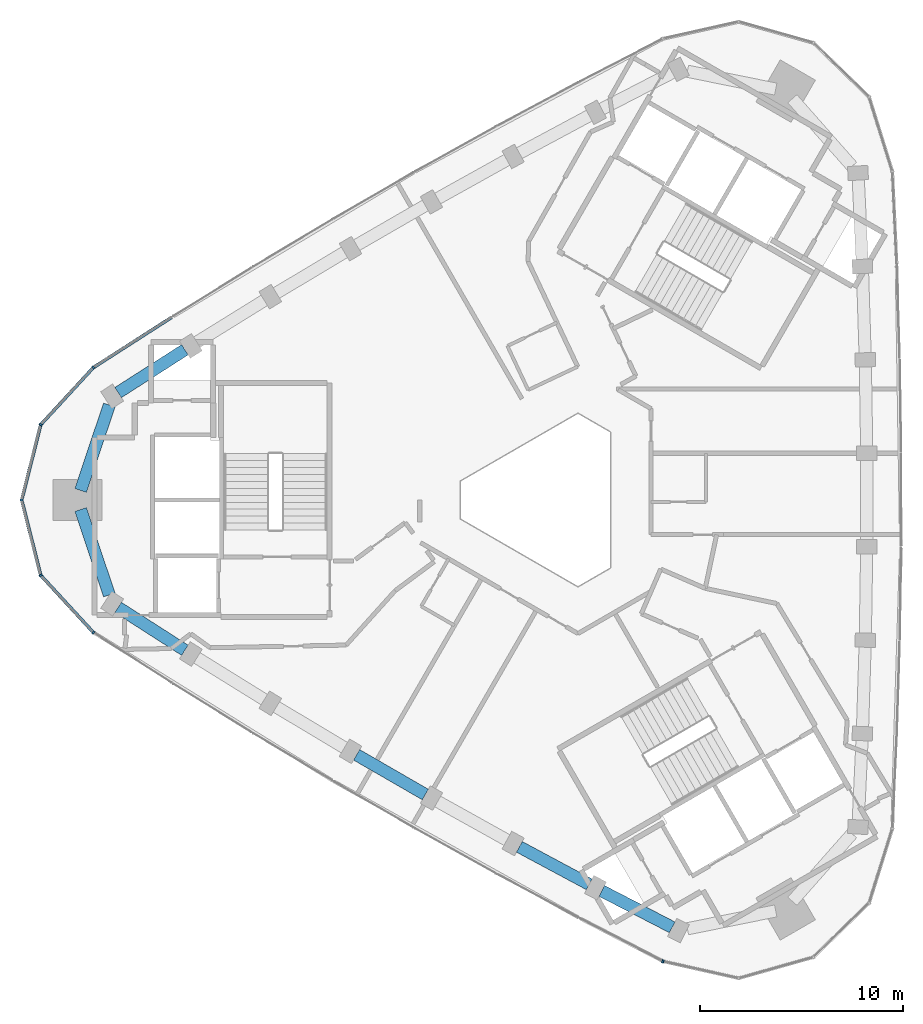
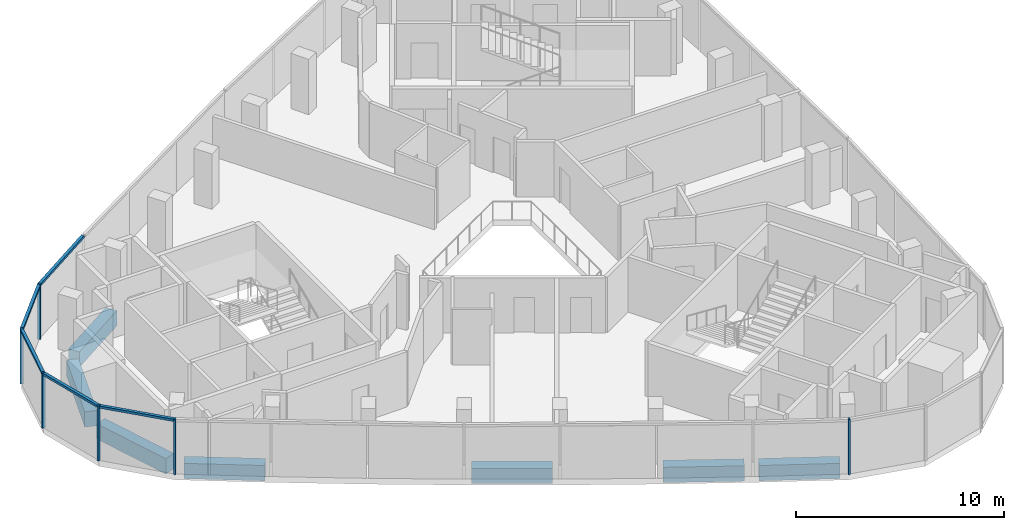
# One storey, part 2 of 10: 11 members, 7 beams, 2 elements without a shape of their own.
"""IFC4 building model written with IfcOpenShell, lengths in metres."""

from ifc_helpers import new_model, si_unit, direction, frame, origin, origin_2d, place, context, subcontext, project, spatial, rectangle, extrude, material, material_profile, profile_set, type_object, element, aggregate, save


model = new_model("IFC4")

# Units and contexts
model_context = context("Model", 3, precision=1e-05, world=origin(), true_north=direction((0.0, 1.0)))
body_context = subcontext(model_context, "Body", "Model", "MODEL_VIEW")
ifc_project = project(units=[si_unit("LENGTHUNIT", "METRE"), si_unit("AREAUNIT", "SQUARE_METRE"), si_unit("VOLUMEUNIT", "CUBIC_METRE"), si_unit("PLANEANGLEUNIT", "RADIAN"), si_unit("MASSUNIT", "GRAM", prefix="KILO")], contexts=[model_context])

# Site, building, storey
site_placement = place(None, origin())
site = spatial("IfcSite", under=ifc_project, at=site_placement, CompositionType="ELEMENT")
building_placement = place(site_placement, origin())
building = spatial("IfcBuilding", under=site, at=building_placement, Name="Tamra Quay Hotel Tower", CompositionType="ELEMENT")
storey_placement = place(building_placement, frame((0.0, 0.0, 265.800048828125)))
storey = spatial("IfcBuildingStorey", under=building, at=storey_placement, Name="L67", CompositionType="ELEMENT", Elevation=265.800048828125)

# Curtain wall, members
ifc_material_1 = material(Name="Aluminium 6063 anodised dark grey", Category="aluminium")
curtain_wall_type_1 = type_object("IfcCurtainWallType", Name="CW2 CURTAIN WALL", PredefinedType="NOTDEFINED", material=ifc_material_1)
curtain_wall_1_placement = place(storey_placement, origin())
curtain_wall_1 = element("IfcCurtainWall", 1, at=curtain_wall_1_placement, inside=storey, type_object=curtain_wall_type_1, Name="CW2 north-west face L67", PredefinedType="NOTDEFINED")
ifc_material_profile_1 = material_profile(ifc_material_1, rectangle(XDim=0.159912109375, YDim=0.10009765625, at=origin_2d()), Name="MULLION 100X160")
ifc_profile_set_1 = profile_set([ifc_material_profile_1], Name="Aluminium 6063 anodised dark grey")
member_type_1 = type_object("IfcMemberType", Name="MULLION CW2 Z6", PredefinedType="MULLION", material=ifc_profile_set_1)
member_1_placement = place(storey_placement, frame((-22.488525390625, 6.530517578125, 0.0), z_axis=(0.0, 0.0, 1.0), x_axis=(-0.643086474198, 0.765793566638, 0.0)))
member_1 = element("IfcMember", 2, at=member_1_placement, type_object=member_type_1, Name="CW2 mullion L67.NW.8", PredefinedType="MULLION", context=body_context, shape_type="SweptSolid", body=[
    extrude(rectangle(XDim=0.159912109375, YDim=0.10009765625, at=origin_2d()), origin(), (0.0, 0.0, 1.0), 3.25),
])
member_2_placement = place(storey_placement, frame((-25.0830078125, 3.712890625, 0.0), z_axis=(0.0, 0.0, 1.0), x_axis=(-0.879433050093, 0.476022594427, 0.0)))
member_2 = element("IfcMember", 3, at=member_2_placement, type_object=member_type_1, Name="CW2 mullion L67.NW.9", PredefinedType="MULLION", context=body_context, shape_type="SweptSolid", body=[
    extrude(rectangle(XDim=0.159912109375, YDim=0.10009765625, at=origin_2d()), origin(), (0.0, 0.0, 1.0), 3.25),
])
member_3_placement = place(storey_placement, frame((-26.0234375, 0.0, 0.0), z_axis=(0.0, 0.0, 1.0), x_axis=(-1.0, 0.0, 0.0)))
member_3 = element("IfcMember", 4, at=member_3_placement, type_object=member_type_1, Name="CW2 mullion L67.NW.10", PredefinedType="MULLION", context=body_context, shape_type="SweptSolid", body=[
    extrude(rectangle(XDim=0.159912109375, YDim=0.10009765625, at=origin_2d()), origin(), (0.0, 0.0, 1.0), 3.25),
])
member_4_placement = place(storey_placement, frame((-25.0830078125, -3.712890625, 0.0), z_axis=(0.0, 0.0, 1.0), x_axis=(-0.879433050093, -0.476022594427, 0.0)))
member_4 = element("IfcMember", 5, at=member_4_placement, type_object=member_type_1, Name="CW2 mullion L67.NW.11", PredefinedType="MULLION", context=body_context, shape_type="SweptSolid", body=[
    extrude(rectangle(XDim=0.159912109375, YDim=0.10009765625, at=origin_2d()), origin(), (0.0, 0.0, 1.0), 3.25),
])

curtain_wall_type_2 = type_object("IfcCurtainWallType", Name="CW3 CURTAIN WALL", PredefinedType="NOTDEFINED", material=ifc_material_1)
curtain_wall_2_placement = place(storey_placement, origin())
curtain_wall_2 = element("IfcCurtainWall", 6, at=curtain_wall_2_placement, inside=storey, type_object=curtain_wall_type_2, Name="CW3 south-west face L67", PredefinedType="NOTDEFINED")
ifc_material_profile_2 = material_profile(ifc_material_1, rectangle(XDim=0.159912109375, YDim=0.10009765625, at=origin_2d()), Name="MULLION 100X160")
ifc_profile_set_2 = profile_set([ifc_material_profile_2], Name="Aluminium 6063 anodised dark grey")
member_type_2 = type_object("IfcMemberType", Name="MULLION CW3 Z6", PredefinedType="MULLION", material=ifc_profile_set_2)
member_5_placement = place(storey_placement, frame((-22.488525390625, -6.530517578125, 0.0), z_axis=(0.0, 0.0, 1.0), x_axis=(-0.643086474198, -0.765793566638, 0.0)))
member_5 = element("IfcMember", 7, at=member_5_placement, type_object=member_type_2, Name="CW3 mullion L67.SW.1", PredefinedType="MULLION", context=body_context, shape_type="SweptSolid", body=[
    extrude(rectangle(XDim=0.159912109375, YDim=0.10009765625, at=origin_2d()), origin(), (0.0, 0.0, 1.0), 3.25),
])
member_6_placement = place(storey_placement, frame((5.588623046875, -22.740966796875, 0.0), z_axis=(0.0, 0.0, 1.0), x_axis=(-0.341653445664, -0.939826006804, 0.0)))
member_6 = element("IfcMember", 8, at=member_6_placement, type_object=member_type_2, Name="CW3 mullion L67.SW.8", PredefinedType="MULLION", context=body_context, shape_type="SweptSolid", body=[
    extrude(rectangle(XDim=0.159912109375, YDim=0.10009765625, at=origin_2d()), origin(), (0.0, 0.0, 1.0), 3.25),
])
aggregate(curtain_wall_2, [member_5, member_6])

# Beams
ifc_material_2 = material(Name="Concrete M60", Category="concrete")
ifc_material_profile_3 = material_profile(ifc_material_2, rectangle(XDim=0.60009765625, YDim=0.89990234375, at=origin_2d()), Name="SPANDREL BEAM RC 600x900")
ifc_profile_set_3 = profile_set([ifc_material_profile_3], Name="Concrete M60")
beam_type = type_object("IfcBeamType", Name="SPANDREL BEAM RC 600x900", PredefinedType="SPANDREL", material=ifc_profile_set_3)
beam_1_placement = place(storey_placement, frame((-17.97607421875, 7.406005859375, -0.800048828125), z_axis=(-0.841679613882, -0.539977247276, 0.0), x_axis=(0.539977247276, -0.841679613882, 0.0)))
element("IfcBeam", 9, at=beam_1_placement, inside=storey, type_object=beam_type, Name="BM-SP6-015-L67", PredefinedType="SPANDREL", context=body_context, shape_type="SweptSolid", body=[
    extrude(rectangle(XDim=0.60009765625, YDim=0.89990234375, at=origin_2d()), origin(), (0.0, 0.0, 1.0), 3.906982421875),
])
for number, where, z_axis, x_axis, name in (
    (10, (-21.70068359375, 4.6845703125, -0.800048828125), (-0.318271531925, -0.947999594919, 0.0), (0.947999594919, -0.318271531925, 0.0), "BM-SP6-016-L67"),
    (11, (-23.114501953125, -0.473388671875, -0.800048828125), (0.318271531925, -0.947999594919, 0.0), (0.947999594919, 0.318271531925, 0.0), "BM-SP6-017-L67"),
):
    element("IfcBeam", number, at=place(storey_placement, frame(where, z_axis=z_axis, x_axis=x_axis)), inside=storey, type_object=beam_type, Name=name, PredefinedType="SPANDREL", context=body_context, shape_type="SweptSolid", body=[
        extrude(rectangle(XDim=0.60009765625, YDim=0.89990234375, at=origin_2d()), origin(), (0.0, 0.0, 1.0), 4.442138671875),
    ])
for number, where, z_axis, x_axis, name in (
    (12, (-21.264404296875, -5.29638671875, -0.800048828125), (0.841679613882, -0.539977247276, 0.0), (0.539977247276, 0.841679613882, 0.0), "BM-SP6-018-L67"),
    (13, (-9.5087890625, -12.562744140625, -0.800048828125), (0.866011803689, -0.500023555316, 0.0), (0.500023555316, 0.866011803689, 0.0), "BM-SP6-021-L67"),
):
    element("IfcBeam", number, at=place(storey_placement, frame(where, z_axis=z_axis, x_axis=x_axis)), inside=storey, type_object=beam_type, Name=name, PredefinedType="SPANDREL", context=body_context, shape_type="SweptSolid", body=[
        extrude(rectangle(XDim=0.60009765625, YDim=0.89990234375, at=origin_2d()), origin(), (0.0, 0.0, 1.0), 3.906982421875),
    ])
beam_2_placement = place(storey_placement, frame((-1.488525390625, -17.09765625, -0.800048828125), z_axis=(0.88123835064, -0.472672158437, 0.0), x_axis=(0.472672158437, 0.88123835064, 0.0)))
element("IfcBeam", 14, at=beam_2_placement, inside=storey, type_object=beam_type, Name="BM-SP6-023-L67", PredefinedType="SPANDREL", context=body_context, shape_type="SweptSolid", body=[
    extrude(rectangle(XDim=0.60009765625, YDim=0.89990234375, at=origin_2d()), origin(), (0.0, 0.0, 1.0), 3.907470703125),
])
beam_3_placement = place(storey_placement, frame((2.57421875, -19.270751953125, -0.800048828125), z_axis=(0.888476019227, -0.458923047208, 0.0), x_axis=(0.458923047208, 0.888476019227, 0.0)))
element("IfcBeam", 15, at=beam_3_placement, inside=storey, type_object=beam_type, Name="BM-SP6-024-L67", PredefinedType="SPANDREL", context=body_context, shape_type="SweptSolid", body=[
    extrude(rectangle(XDim=0.60009765625, YDim=0.89990234375, at=origin_2d()), origin(), (0.0, 0.0, 1.0), 3.906982421875),
])

# Member
ifc_material_profile_4 = material_profile(ifc_material_1, rectangle(XDim=0.159912109375, YDim=0.139892578125, at=origin_2d()), Name="TRANSOM 160X140")
ifc_profile_set_4 = profile_set([ifc_material_profile_4], Name="Aluminium 6063 anodised dark grey")
member_type_3 = type_object("IfcMemberType", Name="TRANSOM CW2 Z6", PredefinedType="USERDEFINED", material=ifc_profile_set_4)
member_7_placement = place(storey_placement, frame((-18.6298828125, 9.006103515625, 3.179931640625), z_axis=(-0.841671458023, -0.539989959859, 0.0), x_axis=(0.539989959859, -0.841671458023, 0.0)))
member_7 = element("IfcMember", 16, at=member_7_placement, type_object=member_type_3, Name="CW2 transom L67.NW.7", ObjectType="TRANSOM", PredefinedType="USERDEFINED", context=body_context, shape_type="SweptSolid", body=[
    extrude(rectangle(XDim=0.159912109375, YDim=0.139892578125, at=origin_2d()), origin(), (0.0, 0.0, 1.0), 4.534423828125),
])

member_8_placement = place(storey_placement, frame((-22.522216796875, 6.493896484375, 3.179931640625), z_axis=(-0.677382568032, -0.735630924123, 0.0), x_axis=(0.735630924123, -0.677382568032, 0.0)))
member_8 = element("IfcMember", 17, at=member_8_placement, type_object=member_type_3, Name="CW2 transom L67.NW.8", ObjectType="TRANSOM", PredefinedType="USERDEFINED", context=body_context, shape_type="SweptSolid", body=[
    extrude(rectangle(XDim=0.159912109375, YDim=0.139892578125, at=origin_2d()), origin(), (0.0, 0.0, 1.0), 3.730224609375),
])

member_9_placement = place(storey_placement, frame((-25.09521484375, 3.66455078125, 3.179931640625), z_axis=(-0.245506732561, -0.96939488562, 0.0), x_axis=(0.96939488562, -0.245506732561, 0.0)))
member_9 = element("IfcMember", 18, at=member_9_placement, type_object=member_type_3, Name="CW2 transom L67.NW.9", ObjectType="TRANSOM", PredefinedType="USERDEFINED", context=body_context, shape_type="SweptSolid", body=[
    extrude(rectangle(XDim=0.159912109375, YDim=0.139892578125, at=origin_2d()), origin(), (0.0, 0.0, 1.0), 3.730224609375),
])

member_10_placement = place(storey_placement, frame((-26.010986328125, -0.048583984375, 3.179931640625), z_axis=(0.245506732561, -0.96939488562, 0.0), x_axis=(0.96939488562, 0.245506732561, 0.0)))
member_10 = element("IfcMember", 19, at=member_10_placement, type_object=member_type_3, Name="CW2 transom L67.NW.10", ObjectType="TRANSOM", PredefinedType="USERDEFINED", context=body_context, shape_type="SweptSolid", body=[
    extrude(rectangle(XDim=0.159912109375, YDim=0.139892578125, at=origin_2d()), origin(), (0.0, 0.0, 1.0), 3.730224609375),
])

member_11_placement = place(storey_placement, frame((-25.049072265625, -3.749755859375, 3.179931640625), z_axis=(0.677382568032, -0.735630924123, 0.0), x_axis=(0.735630924123, 0.677382568032, 0.0)))
member_11 = element("IfcMember", 20, at=member_11_placement, type_object=member_type_3, Name="CW2 transom L67.NW.11", ObjectType="TRANSOM", PredefinedType="USERDEFINED", context=body_context, shape_type="SweptSolid", body=[
    extrude(rectangle(XDim=0.159912109375, YDim=0.139892578125, at=origin_2d()), origin(), (0.0, 0.0, 1.0), 3.730224609375),
])

aggregate(curtain_wall_1, [member_7, member_1, member_8, member_2, member_9, member_3, member_10, member_4, member_11])

save(model, "model.ifc")
